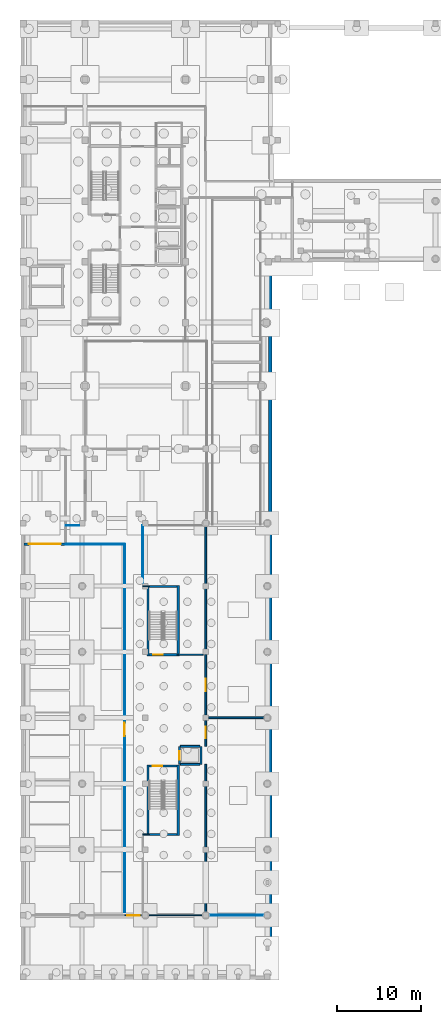
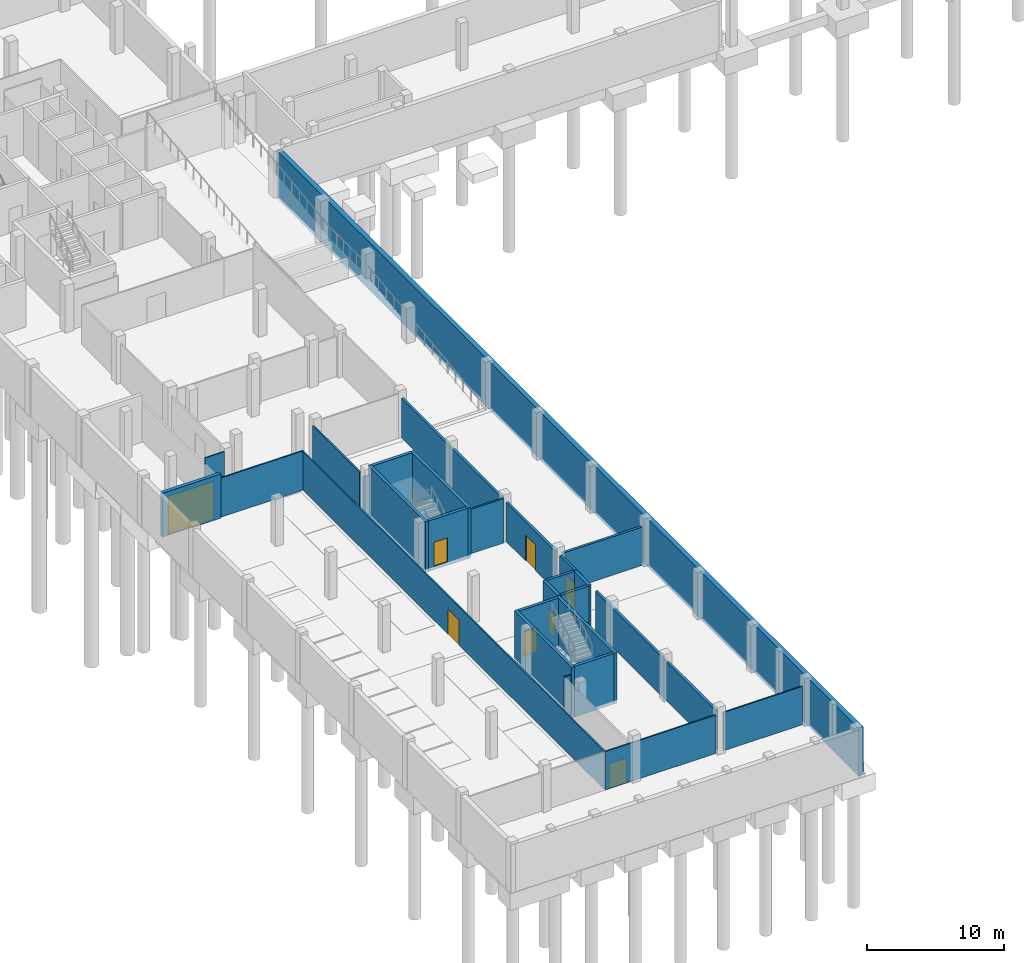
# One storey, part 10 of 21: 28 walls, 8 doors, 8 openings.
"""IFC4 building model written with IfcOpenShell, lengths in metres."""

from ifc_helpers import new_model, si_unit, direction, frame, frame_2d, origin, place, context, subcontext, project, spatial, rectangle, extrude, material, layer, layer_set, type_object, element, fill, save


model = new_model("IFC4")

# Units and contexts
model_context = context("Model", 3, precision=1e-05, world=origin(), true_north=direction((0.0, 1.0)))
body_context = subcontext(model_context, "Body", "Model", "MODEL_VIEW")
ifc_project = project(units=[si_unit("LENGTHUNIT", "METRE"), si_unit("AREAUNIT", "SQUARE_METRE"), si_unit("VOLUMEUNIT", "CUBIC_METRE"), si_unit("PLANEANGLEUNIT", "RADIAN"), si_unit("MASSUNIT", "GRAM", prefix="KILO")], contexts=[model_context])

# Site, building, storey
site_placement = place(None, origin())
site = spatial("IfcSite", under=ifc_project, at=site_placement, CompositionType="ELEMENT")
building_placement = place(site_placement, origin())
building = spatial("IfcBuilding", under=site, at=building_placement, Name="Quillay Park Conservatory", CompositionType="ELEMENT")
storey_placement = place(building_placement, frame((0.0, 0.0, -8.39990234375)))
storey = spatial("IfcBuildingStorey", under=building, at=storey_placement, Name="B2", CompositionType="ELEMENT", Elevation=-8.39990234375)

# Walls
ifc_material_1 = material(Name="Steel-Stud Acoustic Gypsum Board Partition", Category="steel")
ifc_layer_1 = layer(ifc_material_1, 0.10009765625)
ifc_layer_set_1 = layer_set([ifc_layer_1], Name="ACOUSTIC GYPSUM PARTITION 100 (Steel-Stud Acoustic Gypsum Board Partition)")
wall_type_1 = type_object("IfcWallType", Name="ACOUSTIC GYPSUM PARTITION 100", PredefinedType="PARTITIONING", material=ifc_layer_set_1)
wall_1_placement = place(storey_placement, frame((5.550048828125, 53.97998046875, 0.0), z_axis=(0.0, 0.0, 1.0), x_axis=(1.0, 0.0, 0.0)))
element("IfcWall", 1, at=wall_1_placement, inside=storey, type_object=wall_type_1, Name="B2 Cross-Link North-West Wall", PredefinedType="PARTITIONING", context=body_context, shape_type="SweptSolid", body=[
    extrude(rectangle(XDim=1.6298828125, YDim=0.10009765625, at=frame_2d((0.81494140625, 0.0))), origin(), (0.0, 0.0, 1.0), 3.949951171875),
])
ifc_material_2 = material(Name="Steel-Stud Acoustic Gypsum Board Partition", Category="steel")
ifc_layer_2 = layer(ifc_material_2, 0.10498046875)
ifc_layer_set_2 = layer_set([ifc_layer_2], Name="ACOUSTIC GYPSUM PARTITION 105 (Steel-Stud Acoustic Gypsum Board Partition)")
wall_type_2 = type_object("IfcWallType", Name="ACOUSTIC GYPSUM PARTITION 105", PredefinedType="PARTITIONING", material=ifc_layer_set_2)
wall_2_placement = place(storey_placement, frame((5.550048828125, 51.780029296875, 0.0), z_axis=(0.0, 0.0, 1.0), x_axis=(1.0, 0.0, 0.0)))
element("IfcWall", 2, at=wall_2_placement, inside=storey, type_object=wall_type_2, Name="B2 Cross-Link South Wall", PredefinedType="PARTITIONING", context=body_context, shape_type="SweptSolid", body=[
    extrude(rectangle(XDim=7.0, YDim=0.10498046875, at=frame_2d((3.5, 0.0))), origin(), (0.0, 0.0, 1.0), 3.48681640625),
])

# Wall, opening, door
wall_3_placement = place(storey_placement, frame((12.550048828125, 51.780029296875, 0.0), z_axis=(0.0, 0.0, 1.0), x_axis=(0.0, -1.0, 0.0)))
wall_3 = element("IfcWall", 3, at=wall_3_placement, inside=storey, type_object=wall_type_2, Name="B2 Fleet Car Park East Partition", PredefinedType="PARTITIONING", context=body_context, shape_type="SweptSolid", body=[
    extrude(rectangle(XDim=43.97998046875, YDim=0.10498046875, at=frame_2d((21.989990234375, 0.0))), origin(), (0.0, 0.0, 1.0), 3.410888671875),
])
opening_1_placement = place(wall_3_placement, frame((21.179931640625, 0.0, 0.0)))
opening_1 = element("IfcOpeningElement", 4, at=opening_1_placement, cuts=wall_3, Name="Opening D-PL02", PredefinedType="OPENING", context=body_context, shape_type="SweptSolid", body=[
    extrude(rectangle(XDim=1.60009765625, YDim=2.25, at=frame_2d((0.800048828125, 1.125))), frame((0.0, 0.052490234375, 0.0), z_axis=(0.0, -1.0, 0.0), x_axis=(1.0, 0.0, 0.0)), (0.0, 0.0, 1.0), 0.10498046875),
])
ifc_material_3 = material(Name="Steel ASTM A572 Grade 50", Category="steel")
door_type_1 = type_object("IfcDoorType", Name="FIRE RATED PLANT DOOR 1600 X2250", OperationType="NOTDEFINED", PredefinedType="DOOR", material=ifc_material_3)
door_1_placement = place(opening_1_placement, origin())
door_1 = element("IfcDoor", 5, at=door_1_placement, inside=storey, type_object=door_type_1, Name="B2 Door to B2 Research Fleet Car Park", OperationType="SINGLE_SWING_RIGHT", OverallHeight=2.25, OverallWidth=1.60009765625, PredefinedType="DOOR", context=body_context, shape_type="SweptSolid", body=[
    extrude(rectangle(XDim=1.60009765625, YDim=2.25, at=frame_2d((0.800048828125, 1.125))), frame((0.0, 0.02490234375, 0.0), z_axis=(0.0, -1.0, 0.0), x_axis=(1.0, 0.0, 0.0)), (0.0, 0.0, 1.0), 0.050048828125),
])
fill(opening_1, door_1)

# Walls
ifc_material_4 = material(Name="Steel-Stud Acoustic Gypsum Board Partition", Category="steel")
ifc_layer_3 = layer(ifc_material_4, 0.110107421875)
ifc_layer_set_3 = layer_set([ifc_layer_3], Name="ACOUSTIC GYPSUM PARTITION 110 (Steel-Stud Acoustic Gypsum Board Partition)")
wall_type_3 = type_object("IfcWallType", Name="ACOUSTIC GYPSUM PARTITION 110", PredefinedType="PARTITIONING", material=ifc_layer_set_3)
wall_4_placement = place(storey_placement, frame((29.1298828125, 7.800048828125, 0.0), z_axis=(0.0, 0.0, 1.0), x_axis=(-1.0, 0.0, 0.0)))
element("IfcWall", 6, at=wall_4_placement, inside=storey, type_object=wall_type_3, Name="B2 Cistern North Wall E", PredefinedType="PARTITIONING", context=body_context, shape_type="SweptSolid", body=[
    extrude(rectangle(XDim=6.659912109375, YDim=0.110107421875, at=frame_2d((3.330078125, 0.0))), origin(), (0.0, 0.0, 1.0), 3.410888671875),
])
ifc_material_5 = material(Name="Steel-Stud Acoustic Gypsum Board Partition", Category="steel")
ifc_layer_4 = layer(ifc_material_5, 0.114990234375)
ifc_layer_set_4 = layer_set([ifc_layer_4], Name="ACOUSTIC GYPSUM PARTITION 115 (Steel-Stud Acoustic Gypsum Board Partition)")
wall_type_4 = type_object("IfcWallType", Name="ACOUSTIC GYPSUM PARTITION 115", PredefinedType="PARTITIONING", material=ifc_layer_set_4)
wall_5_placement = place(storey_placement, frame((14.679931640625, 53.97998046875, 0.0), z_axis=(0.0, 0.0, 1.0), x_axis=(0.0, -1.0, 0.0)))
element("IfcWall", 7, at=wall_5_placement, inside=storey, type_object=wall_type_4, Name="B2 South Spine East Wall 2", PredefinedType="PARTITIONING", context=body_context, shape_type="SweptSolid", body=[
    extrude(rectangle(XDim=6.85986328125, YDim=0.114990234375, at=frame_2d((3.429931640625, 0.0))), origin(), (0.0, 0.0, 1.0), 3.636962890625),
])

# Wall, opening, door
wall_6_placement = place(storey_placement, frame((12.550048828125, 7.800048828125, 0.0), z_axis=(0.0, 0.0, 1.0), x_axis=(1.0, 0.0, 0.0)))
wall_6 = element("IfcWall", 8, at=wall_6_placement, inside=storey, type_object=wall_type_4, Name="B2 Cistern North Door Wall", PredefinedType="PARTITIONING", context=body_context, shape_type="SweptSolid", body=[
    extrude(rectangle(XDim=9.280029296875, YDim=0.114990234375, at=frame_2d((4.64013671875, 0.0))), origin(), (0.0, 0.0, 1.0), 3.410888671875),
])
opening_2_placement = place(wall_6_placement, frame((0.324951171875, 0.0, 0.0)))
opening_2 = element("IfcOpeningElement", 9, at=opening_2_placement, cuts=wall_6, Name="Opening D-PL01", PredefinedType="OPENING", context=body_context, shape_type="SweptSolid", body=[
    extrude(rectangle(XDim=1.449951171875, YDim=2.199951171875, at=frame_2d((0.72509765625, 1.10009765625))), frame((0.0, 0.0576171875, 0.0), z_axis=(0.0, -1.0, 0.0), x_axis=(1.0, 0.0, 0.0)), (0.0, 0.0, 1.0), 0.114990234375),
])
ifc_material_6 = material(Name="Steel ASTM A572 Grade 50", Category="steel")
door_type_2 = type_object("IfcDoorType", Name="FIRE RATED PLANT DOOR 1450 X2200", OperationType="NOTDEFINED", PredefinedType="DOOR", material=ifc_material_6)
door_2_placement = place(opening_2_placement, origin())
door_2 = element("IfcDoor", 10, at=door_2_placement, inside=storey, type_object=door_type_2, Name="B2 Door to B2 Stormwater and Irrigation Cistern Room", OperationType="SINGLE_SWING_LEFT", OverallHeight=2.199951171875, OverallWidth=1.449951171875, PredefinedType="DOOR", context=body_context, shape_type="SweptSolid", body=[
    extrude(rectangle(XDim=1.449951171875, YDim=2.199951171875, at=frame_2d((0.72509765625, 1.10009765625))), frame((0.0, 0.02490234375, 0.0), z_axis=(0.0, -1.0, 0.0), x_axis=(1.0, 0.0, 0.0)), (0.0, 0.0, 1.0), 0.050048828125),
])
fill(opening_2, door_2)

# Walls
ifc_material_7 = material(Name="Steel-Stud Acoustic Gypsum Board Partition", Category="steel")
ifc_layer_5 = layer(ifc_material_7, 0.1201171875)
ifc_layer_set_5 = layer_set([ifc_layer_5], Name="ACOUSTIC GYPSUM PARTITION 120 (Steel-Stud Acoustic Gypsum Board Partition)")
wall_type_5 = type_object("IfcWallType", Name="ACOUSTIC GYPSUM PARTITION 120", PredefinedType="PARTITIONING", material=ifc_layer_set_5)
wall_7_placement = place(storey_placement, frame((14.679931640625, 46.780029296875, 0.0), z_axis=(0.0, 0.0, 1.0), x_axis=(1.0, 0.0, 0.0)))
element("IfcWall", 11, at=wall_7_placement, inside=storey, type_object=wall_type_5, Name="B2 South Spine ST-V2 Closure", PredefinedType="PARTITIONING", context=body_context, shape_type="SweptSolid", body=[
    extrude(rectangle(XDim=0.77001953125, YDim=0.1201171875, at=frame_2d((0.385009765625, 0.0))), origin(), (0.0, 0.0, 1.0), 3.410888671875),
])
ifc_material_8 = material(Name="Steel-Stud Acoustic Gypsum Board Partition", Category="steel")
ifc_layer_6 = layer(ifc_material_8, 0.125)
ifc_layer_set_6 = layer_set([ifc_layer_6], Name="ACOUSTIC GYPSUM PARTITION 125 (Steel-Stud Acoustic Gypsum Board Partition)")
wall_type_6 = type_object("IfcWallType", Name="ACOUSTIC GYPSUM PARTITION 125", PredefinedType="PARTITIONING", material=ifc_layer_set_6)
wall_8_placement = place(storey_placement, frame((14.679931640625, 17.3798828125, 0.0), z_axis=(0.0, 0.0, 1.0), x_axis=(1.0, 0.0, 0.0)))
element("IfcWall", 12, at=wall_8_placement, inside=storey, type_object=wall_type_6, Name="B2 South Spine ST-V1 Closure", PredefinedType="PARTITIONING", context=body_context, shape_type="SweptSolid", body=[
    extrude(rectangle(XDim=0.77001953125, YDim=0.125, at=frame_2d((0.385009765625, 0.0))), origin(), (0.0, 0.0, 1.0), 3.48681640625),
])
ifc_material_9 = material(Name="Steel-Stud Acoustic Gypsum Board Partition", Category="steel")
ifc_layer_7 = layer(ifc_material_9, 0.139892578125)
ifc_layer_set_7 = layer_set([ifc_layer_7], Name="ACOUSTIC GYPSUM PARTITION 140 (Steel-Stud Acoustic Gypsum Board Partition)")
wall_type_7 = type_object("IfcWallType", Name="ACOUSTIC GYPSUM PARTITION 140", PredefinedType="PARTITIONING", material=ifc_layer_set_7)
wall_9_placement = place(storey_placement, frame((18.89990234375, 38.679931640625, 0.0), z_axis=(0.0, 0.0, 1.0), x_axis=(1.0, 0.0, 0.0)))
element("IfcWall", 13, at=wall_9_placement, inside=storey, type_object=wall_type_7, Name="B2 V3 Lobby North Closure", PredefinedType="PARTITIONING", context=body_context, shape_type="SweptSolid", body=[
    extrude(rectangle(XDim=2.93017578125, YDim=0.139892578125, at=frame_2d((1.465087890625, 0.0))), origin(), (0.0, 0.0, 1.0), 3.949951171875),
])
ifc_material_10 = material(Name="Concrete C35/45 (NCh170 Concrete C35/45)", Category="concrete")
ifc_layer_8 = layer(ifc_material_10, 0.22509765625)
ifc_layer_set_8 = layer_set([ifc_layer_8], Name="CORE SHEAR WALL 225 (Concrete C35/45 (NCh170 Concrete C35/45))")
wall_type_8 = type_object("IfcWallType", Name="CORE SHEAR WALL 225", PredefinedType="SHEAR", material=ifc_layer_set_8)
for number, where, z_axis, x_axis, name in (
    (14, (19.14990234375, 25.6875, -0.300048828125), (0.0, 0.0, 1.0), (1.0, 0.0, 0.0), "B2 Core Shear Wall WL-LFV1S-B2"),
    (15, (19.14990234375, 27.8125, -0.300048828125), (0.0, 0.0, 1.0), (1.0, 0.0, 0.0), "B2 Core Shear Wall WL-LFV1N-B2"),
):
    element("IfcWall", number, at=place(storey_placement, frame(where, z_axis=z_axis, x_axis=x_axis)), inside=storey, type_object=wall_type_8, Name=name, PredefinedType="SHEAR", context=body_context, shape_type="SweptSolid", body=[
        extrude(rectangle(XDim=2.300048828125, YDim=0.22509765625, at=frame_2d((1.14990234375, 0.0))), origin(), (0.0, 0.0, 1.0), 4.5),
    ])
ifc_material_11 = material(Name="Concrete C40/50 (NCh170 Concrete C40/50)", Category="concrete")
ifc_layer_9 = layer(ifc_material_11, 0.25)
ifc_layer_set_9 = layer_set([ifc_layer_9], Name="CORE SHEAR WALL 250 (Concrete C40/50 (NCh170 Concrete C40/50))")
wall_type_9 = type_object("IfcWallType", Name="CORE SHEAR WALL 250", PredefinedType="SHEAR", material=ifc_layer_set_9)
for number, where, z_axis, x_axis, name in (
    (16, (15.324951171875, 17.25, -0.300048828125), (0.0, 0.0, 1.0), (0.0, 1.0, 0.0), "B2 Core Shear Wall WL-V1W-B2"),
    (17, (18.89501953125, 17.25, -0.300048828125), (0.0, 0.0, 1.0), (0.0, 1.0, 0.0), "B2 Core Shear Wall WL-V1E-B2"),
):
    element("IfcWall", number, at=place(storey_placement, frame(where, z_axis=z_axis, x_axis=x_axis)), inside=storey, type_object=wall_type_9, Name=name, PredefinedType="SHEAR", context=body_context, shape_type="SweptSolid", body=[
        extrude(rectangle(XDim=8.35009765625, YDim=0.25, at=frame_2d((4.175048828125, 0.0))), origin(), (0.0, 0.0, 1.0), 4.5),
    ])
wall_10_placement = place(storey_placement, frame((15.449951171875, 17.375, -0.300048828125), z_axis=(0.0, 0.0, 1.0), x_axis=(1.0, 0.0, 0.0)))
element("IfcWall", 18, at=wall_10_placement, inside=storey, type_object=wall_type_9, Name="B2 Core Shear Wall WL-V1S-B2", PredefinedType="SHEAR", context=body_context, shape_type="SweptSolid", body=[
    extrude(rectangle(XDim=3.320068359375, YDim=0.25, at=frame_2d((1.66015625, 0.0))), origin(), (0.0, 0.0, 1.0), 4.5),
])

# Wall, opening, door
wall_11_placement = place(storey_placement, frame((15.449951171875, 25.47509765625, -0.300048828125), z_axis=(0.0, 0.0, 1.0), x_axis=(1.0, 0.0, 0.0)))
wall_11 = element("IfcWall", 19, at=wall_11_placement, inside=storey, type_object=wall_type_9, Name="B2 Core Shear Wall WL-V1D-B2", PredefinedType="SHEAR", context=body_context, shape_type="SweptSolid", body=[
    extrude(rectangle(XDim=3.320068359375, YDim=0.25, at=frame_2d((1.66015625, 0.0))), origin(), (0.0, 0.0, 1.0), 4.5),
])
opening_3_placement = place(wall_11_placement, frame((0.449951171875, 0.0, 0.300048828125)))
opening_3 = element("IfcOpeningElement", 20, at=opening_3_placement, cuts=wall_11, Name="Opening D-ST01", PredefinedType="OPENING", context=body_context, shape_type="SweptSolid", body=[
    extrude(rectangle(XDim=1.10009765625, YDim=2.14990234375, at=frame_2d((0.550048828125, 1.074951171875))), frame((0.0, 0.125, 0.0), z_axis=(0.0, -1.0, 0.0), x_axis=(1.0, 0.0, 0.0)), (0.0, 0.0, 1.0), 0.25),
])
ifc_material_12 = material(Name="Steel ASTM A572 Grade 50", Category="steel")
door_type_3 = type_object("IfcDoorType", Name="FIRE RATED STAIR DOOR 1100 X2150", OperationType="NOTDEFINED", PredefinedType="DOOR", material=ifc_material_12)
door_3_placement = place(opening_3_placement, origin())
door_3 = element("IfcDoor", 21, at=door_3_placement, inside=storey, type_object=door_type_3, Name="B2 Visitor Stair ST-V1 Door", OperationType="SINGLE_SWING_LEFT", OverallHeight=2.14990234375, OverallWidth=1.10009765625, PredefinedType="DOOR", context=body_context, shape_type="SweptSolid", body=[
    extrude(rectangle(XDim=1.10009765625, YDim=2.14990234375, at=frame_2d((0.550048828125, 1.074951171875))), frame((0.0, 0.02490234375, 0.0), z_axis=(0.0, -1.0, 0.0), x_axis=(1.0, 0.0, 0.0)), (0.0, 0.0, 1.0), 0.050048828125),
])
fill(opening_3, door_3)

# Walls
for number, where, z_axis, x_axis, name in (
    (22, (15.324951171875, 38.550048828125, -0.300048828125), (0.0, 0.0, 1.0), (0.0, 1.0, 0.0), "B2 Core Shear Wall WL-V2W-B2"),
    (23, (18.89501953125, 38.550048828125, -0.300048828125), (0.0, 0.0, 1.0), (0.0, 1.0, 0.0), "B2 Core Shear Wall WL-V2E-B2"),
):
    element("IfcWall", number, at=place(storey_placement, frame(where, z_axis=z_axis, x_axis=x_axis)), inside=storey, type_object=wall_type_9, Name=name, PredefinedType="SHEAR", context=body_context, shape_type="SweptSolid", body=[
        extrude(rectangle(XDim=8.349853515625, YDim=0.25, at=frame_2d((4.1748046875, 0.0))), origin(), (0.0, 0.0, 1.0), 4.5),
    ])
wall_12_placement = place(storey_placement, frame((15.449951171875, 46.77490234375, -0.300048828125), z_axis=(0.0, 0.0, 1.0), x_axis=(1.0, 0.0, 0.0)))
element("IfcWall", 24, at=wall_12_placement, inside=storey, type_object=wall_type_9, Name="B2 Core Shear Wall WL-V2N-B2", PredefinedType="SHEAR", context=body_context, shape_type="SweptSolid", body=[
    extrude(rectangle(XDim=3.320068359375, YDim=0.25, at=frame_2d((1.66015625, 0.0))), origin(), (0.0, 0.0, 1.0), 4.5),
])

# Wall, opening, door
wall_13_placement = place(storey_placement, frame((18.77001953125, 38.675048828125, -0.300048828125), z_axis=(0.0, 0.0, 1.0), x_axis=(-1.0, 0.0, 0.0)))
wall_13 = element("IfcWall", 25, at=wall_13_placement, inside=storey, type_object=wall_type_9, Name="B2 Core Shear Wall WL-V2D-B2", PredefinedType="SHEAR", context=body_context, shape_type="SweptSolid", body=[
    extrude(rectangle(XDim=3.320068359375, YDim=0.25, at=frame_2d((1.66015625, 0.0))), origin(), (0.0, 0.0, 1.0), 4.5),
])
opening_4_placement = place(wall_13_placement, frame((1.699951171875, 0.0, 0.300048828125)))
opening_4 = element("IfcOpeningElement", 26, at=opening_4_placement, cuts=wall_13, Name="Opening D-ST02", PredefinedType="OPENING", context=body_context, shape_type="SweptSolid", body=[
    extrude(rectangle(XDim=1.14990234375, YDim=2.14990234375, at=frame_2d((0.574951171875, 1.074951171875))), frame((0.0, 0.125, 0.0), z_axis=(0.0, -1.0, 0.0), x_axis=(1.0, 0.0, 0.0)), (0.0, 0.0, 1.0), 0.25),
])
ifc_material_13 = material(Name="Steel ASTM A572 Grade 50", Category="steel")
door_type_4 = type_object("IfcDoorType", Name="FIRE RATED STAIR DOOR 1150 X2150", OperationType="NOTDEFINED", PredefinedType="DOOR", material=ifc_material_13)
door_4_placement = place(opening_4_placement, origin())
door_4 = element("IfcDoor", 27, at=door_4_placement, inside=storey, type_object=door_type_4, Name="B2 Visitor Stair ST-V2 Door", OperationType="SINGLE_SWING_RIGHT", OverallHeight=2.14990234375, OverallWidth=1.14990234375, PredefinedType="DOOR", context=body_context, shape_type="SweptSolid", body=[
    extrude(rectangle(XDim=1.14990234375, YDim=2.14990234375, at=frame_2d((0.574951171875, 1.074951171875))), frame((0.0, 0.02490234375, 0.0), z_axis=(0.0, -1.0, 0.0), x_axis=(1.0, 0.0, 0.0)), (0.0, 0.0, 1.0), 0.050048828125),
])
fill(opening_4, door_4)

# Wall
wall_14_placement = place(storey_placement, frame((21.574951171875, 25.675048828125, -0.300048828125), z_axis=(0.0, 0.0, 1.0), x_axis=(0.0, 1.0, 0.0)))
element("IfcWall", 28, at=wall_14_placement, inside=storey, type_object=wall_type_9, Name="B2 Core Shear Wall WL-LFV1B-B2", PredefinedType="SHEAR", context=body_context, shape_type="SweptSolid", body=[
    extrude(rectangle(XDim=2.14990234375, YDim=0.25, at=frame_2d((1.074951171875, 0.0))), origin(), (0.0, 0.0, 1.0), 4.5),
])

# Wall, opening, door
wall_15_placement = place(storey_placement, frame((19.02490234375, 25.675048828125, -0.300048828125), z_axis=(0.0, 0.0, 1.0), x_axis=(0.0, 1.0, 0.0)))
wall_15 = element("IfcWall", 29, at=wall_15_placement, inside=storey, type_object=wall_type_9, Name="B2 Core Shear Wall WL-LFV1F-B2", PredefinedType="SHEAR", context=body_context, shape_type="SweptSolid", body=[
    extrude(rectangle(XDim=2.14990234375, YDim=0.25, at=frame_2d((1.074951171875, 0.0))), origin(), (0.0, 0.0, 1.0), 4.5),
])
opening_5_placement = place(wall_15_placement, frame((0.574951171875, 0.0, 0.300048828125)))
opening_5 = element("IfcOpeningElement", 30, at=opening_5_placement, cuts=wall_15, Name="Opening LD04", PredefinedType="OPENING", context=body_context, shape_type="SweptSolid", body=[
    extrude(rectangle(XDim=1.0, YDim=2.10009765625, at=frame_2d((0.5, 1.050048828125))), frame((0.0, 0.125, 0.0), z_axis=(0.0, -1.0, 0.0), x_axis=(1.0, 0.0, 0.0)), (0.0, 0.0, 1.0), 0.25),
])
ifc_material_14 = material(Name="Steel ASTM A572 Grade 50", Category="steel")
door_type_5 = type_object("IfcDoorType", Name="LIFT LANDING SLIDING DOOR 1000 X2100", OperationType="NOTDEFINED", PredefinedType="DOOR", material=ifc_material_14)
door_5_placement = place(opening_5_placement, origin())
door_5 = element("IfcDoor", 31, at=door_5_placement, inside=storey, type_object=door_type_5, Name="B2 LF-V1 Lift Landing Door LD04", OperationType="SLIDING_TO_LEFT", OverallHeight=2.10009765625, OverallWidth=1.0, PredefinedType="DOOR", context=body_context, shape_type="SweptSolid", body=[
    extrude(rectangle(XDim=1.0, YDim=2.10009765625, at=frame_2d((0.5, 1.050048828125))), frame((0.0, 0.02490234375, 0.0), z_axis=(0.0, -1.0, 0.0), x_axis=(1.0, 0.0, 0.0)), (0.0, 0.0, 1.0), 0.050048828125),
])
fill(opening_5, door_5)

# Wall
ifc_material_15 = material(Name="Concrete C35/45 (NCh170 Concrete C35/45)", Category="concrete")
ifc_layer_10 = layer(ifc_material_15, 0.39990234375)
ifc_layer_set_10 = layer_set([ifc_layer_10], Name="RETAINING WALL 400 (Concrete C35/45 (NCh170 Concrete C35/45))")
wall_type_10 = type_object("IfcWallType", Name="RETAINING WALL 400", PredefinedType="USERDEFINED", material=ifc_layer_set_10)
wall_16_placement = place(storey_placement, frame((29.800048828125, 85.199951171875, -0.300048828125), z_axis=(0.0, 0.0, 1.0), x_axis=(0.0, -1.0, 0.0)))
element("IfcWall", 32, at=wall_16_placement, inside=storey, type_object=wall_type_10, Name="B2 Perimeter Retaining Wall 07", ObjectType="RETAINING WALL", PredefinedType="USERDEFINED", context=body_context, shape_type="SweptSolid", body=[
    extrude(rectangle(XDim=84.800048828125, YDim=0.39990234375, at=frame_2d((42.39990234375, 0.0))), origin(), (0.0, 0.0, 1.0), 4.260009765625),
])

# Wall, opening, door
ifc_material_16 = material(Name="Concrete C35/45 (NCh170 Concrete C35/45)", Category="concrete")
ifc_layer_11 = layer(ifc_material_16, 0.280029296875)
ifc_layer_set_11 = layer_set([ifc_layer_11], Name="SOLID FIREWALL 280 (Concrete C35/45 (NCh170 Concrete C35/45))")
wall_type_11 = type_object("IfcWallType", Name="SOLID FIREWALL 280", PredefinedType="SOLIDWALL", material=ifc_layer_set_11)
wall_17_placement = place(storey_placement, frame((0.64990234375, 51.780029296875, 0.0), z_axis=(0.0, 0.0, 1.0), x_axis=(1.0, 0.0, 0.0)))
wall_17 = element("IfcWall", 33, at=wall_17_placement, inside=storey, type_object=wall_type_11, Name="B2 Fleet Car Park Fire-Rated Vehicle Portal Wall", PredefinedType="SOLIDWALL", context=body_context, shape_type="SweptSolid", body=[
    extrude(rectangle(XDim=4.900146484375, YDim=0.280029296875, at=frame_2d((2.4501953125, 0.0))), origin(), (0.0, 0.0, 1.0), 3.919921875),
])
opening_6_placement = place(wall_17_placement, frame((0.550048828125, 0.0, 0.0)))
opening_6 = element("IfcOpeningElement", 34, at=opening_6_placement, cuts=wall_17, Name="Opening D-SV02", PredefinedType="OPENING", context=body_context, shape_type="SweptSolid", body=[
    extrude(rectangle(XDim=3.800048828125, YDim=3.39990234375, at=frame_2d((1.89990234375, 1.699951171875))), frame((0.0, 0.14013671875, 0.0), z_axis=(0.0, -1.0, 0.0), x_axis=(1.0, 0.0, 0.0)), (0.0, 0.0, 1.0), 0.280029296875),
])
ifc_material_17 = material(Name="Thermally Broken Anodised Aluminium 6063-T6", Category="aluminium")
door_type_6 = type_object("IfcDoorType", Name="VEHICLE ROLLER SHUTTER 3800 X3400", OperationType="NOTDEFINED", PredefinedType="GATE", material=ifc_material_17)
door_6_placement = place(opening_6_placement, origin())
door_6 = element("IfcDoor", 35, at=door_6_placement, inside=storey, type_object=door_type_6, Name="B2 Fleet Car Park Vehicle Roller Shutter D-SV02", OperationType="ROLLINGUP", OverallHeight=3.39990234375, OverallWidth=3.800048828125, PredefinedType="GATE", context=body_context, shape_type="SweptSolid", body=[
    extrude(rectangle(XDim=3.800048828125, YDim=3.39990234375, at=frame_2d((1.89990234375, 1.699951171875))), frame((0.0, 0.02490234375, 0.0), z_axis=(0.0, -1.0, 0.0), x_axis=(1.0, 0.0, 0.0)), (0.0, 0.0, 1.0), 0.050048828125),
])
fill(opening_6, door_6)

# Wall
ifc_material_18 = material(Name="Concrete C35/45 (NCh170 Concrete C35/45)", Category="concrete")
ifc_layer_12 = layer(ifc_material_18, 0.199951171875)
ifc_layer_set_12 = layer_set([ifc_layer_12], Name="SOLID VAULT WALL 200 (Concrete C35/45 (NCh170 Concrete C35/45))")
wall_type_12 = type_object("IfcWallType", Name="SOLID VAULT WALL 200", PredefinedType="SOLIDWALL", material=ifc_layer_set_12)
wall_18_placement = place(storey_placement, frame((22.14990234375, 8.1201171875, 0.0), z_axis=(0.0, 0.0, 1.0), x_axis=(0.0, 1.0, 0.0)))
element("IfcWall", 36, at=wall_18_placement, inside=storey, type_object=wall_type_12, Name="B2 East Vault South-West Wall", PredefinedType="SOLIDWALL", context=body_context, shape_type="SweptSolid", body=[
    extrude(rectangle(XDim=17.559814453125, YDim=0.199951171875, at=frame_2d((8.77978515625, 0.0))), origin(), (0.0, 0.0, 1.0), 3.48681640625),
])

# Wall, opening, door
wall_19_placement = place(storey_placement, frame((22.14990234375, 27.820068359375, 0.0), z_axis=(0.0, 0.0, 1.0), x_axis=(0.0, 1.0, 0.0)))
wall_19 = element("IfcWall", 37, at=wall_19_placement, inside=storey, type_object=wall_type_12, Name="B2 East Vault Mid-South Wall", PredefinedType="SOLIDWALL", context=body_context, shape_type="SweptSolid", body=[
    extrude(rectangle(XDim=3.059814453125, YDim=0.199951171875, at=frame_2d((1.52978515625, 0.0))), origin(), (0.0, 0.0, 1.0), 3.48681640625),
])
opening_7_placement = place(wall_19_placement, frame((0.97509765625, 0.0, 0.0)))
opening_7 = element("IfcOpeningElement", 38, at=opening_7_placement, cuts=wall_19, Name="Opening D-HB01", PredefinedType="OPENING", context=body_context, shape_type="SweptSolid", body=[
    extrude(rectangle(XDim=1.35009765625, YDim=2.25, at=frame_2d((0.675048828125, 1.125))), frame((0.0, 0.10009765625, 0.0), z_axis=(0.0, -1.0, 0.0), x_axis=(1.0, 0.0, 0.0)), (0.0, 0.0, 1.0), 0.199951171875),
])
ifc_material_19 = material(Name="Steel ASTM A572 Grade 50", Category="steel")
door_type_7 = type_object("IfcDoorType", Name="FIRE RATED VAULT DOOR 1350 X2250", OperationType="NOTDEFINED", PredefinedType="DOOR", material=ifc_material_19)
door_7_placement = place(opening_7_placement, origin())
door_7 = element("IfcDoor", 39, at=door_7_placement, inside=storey, type_object=door_type_7, Name="B2 Door to B2 Alpine Germplasm Cold Store", OperationType="SINGLE_SWING_LEFT", OverallHeight=2.25, OverallWidth=1.35009765625, PredefinedType="DOOR", context=body_context, shape_type="SweptSolid", body=[
    extrude(rectangle(XDim=1.35009765625, YDim=2.25, at=frame_2d((0.675048828125, 1.125))), frame((0.0, 0.02490234375, 0.0), z_axis=(0.0, -1.0, 0.0), x_axis=(1.0, 0.0, 0.0)), (0.0, 0.0, 1.0), 0.050048828125),
])
fill(opening_7, door_7)

wall_20_placement = place(storey_placement, frame((22.14990234375, 31.52001953125, 0.0), z_axis=(0.0, 0.0, 1.0), x_axis=(0.0, 1.0, 0.0)))
wall_20 = element("IfcWall", 40, at=wall_20_placement, inside=storey, type_object=wall_type_12, Name="B2 East Vault Mid-North Wall", PredefinedType="SOLIDWALL", context=body_context, shape_type="SweptSolid", body=[
    extrude(rectangle(XDim=7.159912109375, YDim=0.199951171875, at=frame_2d((3.580078125, 0.0))), origin(), (0.0, 0.0, 1.0), 3.48681640625),
])
opening_8_placement = place(wall_20_placement, frame((2.830078125, 0.0, 0.0)))
opening_8 = element("IfcOpeningElement", 41, at=opening_8_placement, cuts=wall_20, Name="Opening D-HB02", PredefinedType="OPENING", context=body_context, shape_type="SweptSolid", body=[
    extrude(rectangle(XDim=1.5, YDim=2.300048828125, at=frame_2d((0.75, 1.14990234375))), frame((0.0, 0.10009765625, 0.0), z_axis=(0.0, -1.0, 0.0), x_axis=(1.0, 0.0, 0.0)), (0.0, 0.0, 1.0), 0.199951171875),
])
ifc_material_20 = material(Name="Steel ASTM A572 Grade 50", Category="steel")
door_type_8 = type_object("IfcDoorType", Name="FIRE RATED VAULT DOOR 1500 X2300", OperationType="NOTDEFINED", PredefinedType="DOOR", material=ifc_material_20)
door_8_placement = place(opening_8_placement, origin())
door_8 = element("IfcDoor", 42, at=door_8_placement, inside=storey, type_object=door_type_8, Name="B2 Door to B2 Botanical Specimen Cold Compactor Vault", OperationType="SINGLE_SWING_RIGHT", OverallHeight=2.300048828125, OverallWidth=1.5, PredefinedType="DOOR", context=body_context, shape_type="SweptSolid", body=[
    extrude(rectangle(XDim=1.5, YDim=2.300048828125, at=frame_2d((0.75, 1.14990234375))), frame((0.0, 0.02490234375, 0.0), z_axis=(0.0, -1.0, 0.0), x_axis=(1.0, 0.0, 0.0)), (0.0, 0.0, 1.0), 0.050048828125),
])
fill(opening_8, door_8)

# Walls
wall_21_placement = place(storey_placement, frame((22.14990234375, 39.320068359375, 0.0), z_axis=(0.0, 0.0, 1.0), x_axis=(0.0, 1.0, 0.0)))
element("IfcWall", 43, at=wall_21_placement, inside=storey, type_object=wall_type_12, Name="B2 East Vault North-West Wall", PredefinedType="SOLIDWALL", context=body_context, shape_type="SweptSolid", body=[
    extrude(rectangle(XDim=14.6298828125, YDim=0.199951171875, at=frame_2d((7.31494140625, 0.0))), origin(), (0.0, 0.0, 1.0), 3.48681640625),
])
wall_22_placement = place(storey_placement, frame((29.1298828125, 31.199951171875, 0.0), z_axis=(0.0, 0.0, 1.0), x_axis=(-1.0, 0.0, 0.0)))
element("IfcWall", 44, at=wall_22_placement, inside=storey, type_object=wall_type_12, Name="B2 East Vault Divider", PredefinedType="SOLIDWALL", context=body_context, shape_type="SweptSolid", body=[
    extrude(rectangle(XDim=6.659912109375, YDim=0.199951171875, at=frame_2d((3.330078125, 0.0))), origin(), (0.0, 0.0, 1.0), 3.410888671875),
])

save(model, "model.ifc")
